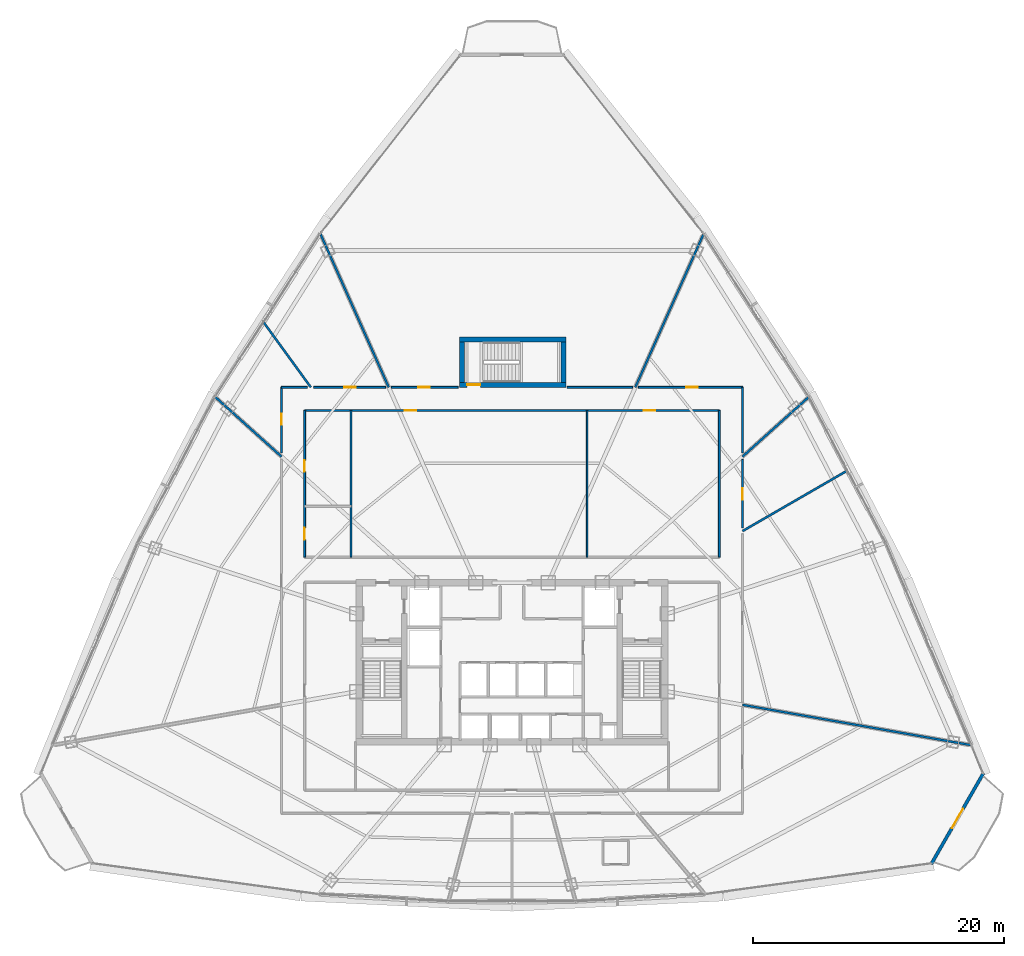
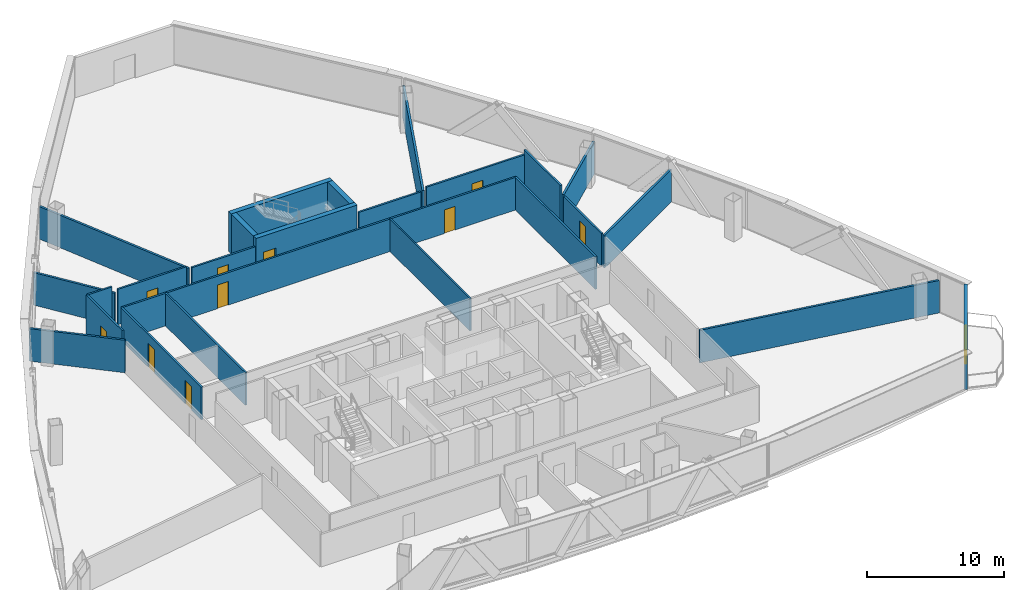
# One storey, part 31 of 36: 25 walls, 11 doors, 11 openings.
"""IFC4 building model written with IfcOpenShell, lengths in metres."""

from ifc_helpers import new_model, si_unit, direction, frame, frame_2d, origin, origin_with_axes, place, context, subcontext, project, spatial, rectangle, extrude, source, transform, mapped, material, layer, layer_set, type_object, element, fill, save


model = new_model("IFC4")

# Units and contexts
model_context = context("Model", 3, precision=1e-05, world=origin(), true_north=direction((0.0, 1.0)))
body_context = subcontext(model_context, "Body", "Model", "MODEL_VIEW")
ifc_project = project(units=[si_unit("LENGTHUNIT", "METRE"), si_unit("AREAUNIT", "SQUARE_METRE"), si_unit("VOLUMEUNIT", "CUBIC_METRE"), si_unit("PLANEANGLEUNIT", "RADIAN"), si_unit("MASSUNIT", "GRAM", prefix="KILO"), si_unit("THERMODYNAMICTEMPERATUREUNIT", "KELVIN"), si_unit("POWERUNIT", "WATT")], contexts=[model_context])

# Site, building, storey
site_placement = place(None, origin())
site = spatial("IfcSite", under=ifc_project, at=site_placement, CompositionType="ELEMENT")
building_placement = place(site_placement, origin())
building = spatial("IfcBuilding", under=site, at=building_placement, Name="Yunzhuo Pagoda Commons", CompositionType="ELEMENT")
storey_placement = place(building_placement, frame((0.0, 0.0, 211.360107421875)))
storey = spatial("IfcBuildingStorey", under=building, at=storey_placement, Name="L53", CompositionType="ELEMENT", Elevation=211.360107421875)

# Wall, opening, door
ifc_material_1 = material(Name="Precast concrete C40", Category="concrete")
ifc_layer_1 = layer(ifc_material_1, 0.260009765625)
ifc_layer_set_1 = layer_set([ifc_layer_1], Name="Precast concrete C40")
wall_type_1 = type_object("IfcWallType", Name="W-BAL1 Corner Balcony Threshold Wall 260", PredefinedType="STANDARD", material=ifc_layer_set_1)
wall_1_placement = place(storey_placement, frame((81.465576171875, 17.74951171875, 0.0), z_axis=(0.0, 0.0, 1.0), x_axis=(0.497934125263, 0.867214856249, 0.0)))
wall_1 = element("IfcWall", 1, at=wall_1_placement, inside=storey, type_object=wall_type_1, Name="L53 corner balcony wall V2", PredefinedType="STANDARD", context=body_context, shape_type="SweptSolid", body=[
    extrude(rectangle(XDim=8.37255859375, YDim=0.260009765625, at=frame_2d((4.186279296875, 0.0))), origin(), (0.0, 0.0, 1.0), 3.539794921875),
])
opening_1_placement = place(wall_1_placement, frame((3.286376953125, 0.0, 0.0)))
opening_1 = element("IfcOpeningElement", 2, at=opening_1_placement, cuts=wall_1, Name="Opening D-BAL1", PredefinedType="OPENING", context=body_context, shape_type="SweptSolid", body=[
    extrude(rectangle(XDim=1.800048828125, YDim=2.14990234375, at=frame_2d((0.89990234375, 1.074951171875))), frame((0.0, 0.14013671875, 0.0), z_axis=(0.0, -1.0, 0.0), x_axis=(1.0, 0.0, 0.0)), (0.0, 0.0, 1.0), 0.280029296875),
])
ifc_material_2 = material(Name="Anodized aluminium frame and tempered glazed leaf", Category="aluminium")
door_type_1 = type_object("IfcDoorType", Name="D-BAL1 Corner Balcony Sliding Glazed Door 1800x2150", OperationType="DOUBLE_DOOR_SLIDING", PredefinedType="DOOR", material=ifc_material_2)
shared_shape_1 = source(origin(), body_context, "Body", "SweptSolid", [
    extrude(rectangle(XDim=1.800048828125, YDim=2.14990234375, at=frame_2d((0.89990234375, 1.074951171875))), frame((0.0, 0.02490234375, 0.0), z_axis=(0.0, -1.0, 0.0), x_axis=(1.0, 0.0, 0.0)), (0.0, 0.0, 1.0), 0.050048828125),
])
door_1_placement = place(opening_1_placement, origin_with_axes())
door_1 = element("IfcDoor", 3, at=door_1_placement, inside=storey, type_object=door_type_1, Name="L53 corner balcony sliding door V2", OperationType="DOUBLE_DOOR_SLIDING", OverallHeight=2.14990234375, OverallWidth=1.800048828125, PredefinedType="DOOR", context=body_context, shape_type="MappedRepresentation", body=[
    mapped(shared_shape_1, transform((0.0, 0.0, 0.0), scale=1.0)),
])
fill(opening_1, door_1)

# Wall, openings, doors
ifc_material_3 = material(Name="Gypsum plasterboard on acoustic stud")
ifc_layer_2 = layer(ifc_material_3, 0.155029296875)
ifc_layer_set_2 = layer_set([ifc_layer_2], Name="Gypsum plasterboard on acoustic stud")
wall_type_2 = type_object("IfcWallType", Name="W-COR2 Mid-Zone Rated Corridor Wall 155", PredefinedType="PARTITIONING", material=ifc_layer_set_2)
wall_2_placement = place(storey_placement, frame((31.449951171875, 53.949951171875, 0.0), z_axis=(0.0, 0.0, 1.0), x_axis=(1.0, 0.0, 0.0)))
wall_2 = element("IfcWall", 4, at=wall_2_placement, inside=storey, type_object=wall_type_2, Name="L53 interior wall IW-L53-MCNN", PredefinedType="PARTITIONING", context=body_context, shape_type="SweptSolid", body=[
    extrude(rectangle(XDim=33.10009765625, YDim=0.155029296875, at=frame_2d((16.550048828125, 0.0))), origin(), (0.0, 0.0, 1.0), 2.889892578125),
])
opening_2_placement = place(wall_2_placement, frame((8.0, 0.0, 0.0)))
opening_2 = element("IfcOpeningElement", 5, at=opening_2_placement, cuts=wall_2, Name="Opening D-04", PredefinedType="OPENING", context=body_context, shape_type="SweptSolid", body=[
    extrude(rectangle(XDim=0.919921875, YDim=2.10009765625, at=frame_2d((0.4599609375, 1.050048828125))), frame((0.0, 0.08740234375, 0.0), z_axis=(0.0, -1.0, 0.0), x_axis=(1.0, 0.0, 0.0)), (0.0, 0.0, 1.0), 0.175048828125),
])
opening_3_placement = place(wall_2_placement, frame((27.050048828125, 0.0, 0.0)))
opening_3 = element("IfcOpeningElement", 6, at=opening_3_placement, cuts=wall_2, Name="Opening D-04", PredefinedType="OPENING", context=body_context, shape_type="SweptSolid", body=[
    extrude(rectangle(XDim=0.919921875, YDim=2.10009765625, at=frame_2d((0.4599609375, 1.050048828125))), frame((0.0, 0.08740234375, 0.0), z_axis=(0.0, -1.0, 0.0), x_axis=(1.0, 0.0, 0.0)), (0.0, 0.0, 1.0), 0.175048828125),
])
ifc_material_4 = material(Name="Powder-coated aluminium and timber acoustic leaf", Category="wood")
door_type_2 = type_object("IfcDoorType", Name="D-04 Bedroom & Study Interior Door 920x2100", OperationType="NOTDEFINED", PredefinedType="DOOR", material=ifc_material_4)
shared_shape_2 = source(origin(), body_context, "Body", "SweptSolid", [
    extrude(rectangle(XDim=0.919921875, YDim=2.10009765625, at=frame_2d((0.4599609375, 1.050048828125))), frame((0.0, 0.02490234375, 0.0), z_axis=(0.0, -1.0, 0.0), x_axis=(1.0, 0.0, 0.0)), (0.0, 0.0, 1.0), 0.050048828125),
])
door_2_placement = place(opening_2_placement, origin_with_axes())
door_2 = element("IfcDoor", 7, at=door_2_placement, inside=storey, type_object=door_type_2, Name="L53 reading commons door", OperationType="SINGLE_SWING_LEFT", OverallHeight=2.10009765625, OverallWidth=0.919921875, PredefinedType="DOOR", context=body_context, shape_type="MappedRepresentation", body=[
    mapped(shared_shape_2, transform((0.0, 0.0, 0.0), scale=1.0)),
])
fill(opening_2, door_2)
door_3_placement = place(opening_3_placement, origin_with_axes())
door_3 = element("IfcDoor", 8, at=door_3_placement, inside=storey, type_object=door_type_2, Name="L53 seminar commons door", OperationType="SINGLE_SWING_RIGHT", OverallHeight=2.10009765625, OverallWidth=0.919921875, PredefinedType="DOOR", context=body_context, shape_type="MappedRepresentation", body=[
    mapped(shared_shape_2, transform((0.0, 0.0, 0.0), scale=1.0)),
])
fill(opening_3, door_3)

wall_3_placement = place(storey_placement, frame((31.449951171875, 42.25, 0.0), z_axis=(0.0, 0.0, 1.0), x_axis=(0.0, 1.0, 0.0)))
wall_3 = element("IfcWall", 9, at=wall_3_placement, inside=storey, type_object=wall_type_2, Name="L53 interior wall IW-L53-MCNW", PredefinedType="PARTITIONING", context=body_context, shape_type="SweptSolid", body=[
    extrude(rectangle(XDim=11.699951171875, YDim=0.155029296875, at=frame_2d((5.85009765625, 0.0))), origin(), (0.0, 0.0, 1.0), 2.889892578125),
])
opening_4_placement = place(wall_3_placement, frame((1.39990234375, 0.0, 0.0)))
opening_4 = element("IfcOpeningElement", 10, at=opening_4_placement, cuts=wall_3, Name="Opening D-11", PredefinedType="OPENING", context=body_context, shape_type="SweptSolid", body=[
    extrude(rectangle(XDim=0.93994140625, YDim=2.10009765625, at=frame_2d((0.469970703125, 1.050048828125))), frame((0.0, 0.08740234375, 0.0), z_axis=(0.0, -1.0, 0.0), x_axis=(1.0, 0.0, 0.0)), (0.0, 0.0, 1.0), 0.175048828125),
])
opening_5_placement = place(wall_3_placement, frame((6.800048828125, 0.0, 0.0)))
opening_5 = element("IfcOpeningElement", 11, at=opening_5_placement, cuts=wall_3, Name="Opening D-04", PredefinedType="OPENING", context=body_context, shape_type="SweptSolid", body=[
    extrude(rectangle(XDim=0.919921875, YDim=2.10009765625, at=frame_2d((0.4599609375, 1.050048828125))), frame((0.0, 0.08740234375, 0.0), z_axis=(0.0, -1.0, 0.0), x_axis=(1.0, 0.0, 0.0)), (0.0, 0.0, 1.0), 0.175048828125),
])
ifc_material_5 = material(Name="Galvanized fire-resisting metal leaf")
door_type_3 = type_object("IfcDoorType", Name="D-11 Accessible Washroom Fire Door 940x2100", OperationType="NOTDEFINED", PredefinedType="DOOR", material=ifc_material_5)
shared_shape_3 = source(origin(), body_context, "Body", "SweptSolid", [
    extrude(rectangle(XDim=0.93994140625, YDim=2.10009765625, at=frame_2d((0.469970703125, 1.050048828125))), frame((0.0, 0.02490234375, 0.0), z_axis=(0.0, -1.0, 0.0), x_axis=(1.0, 0.0, 0.0)), (0.0, 0.0, 1.0), 0.050048828125),
])
door_4_placement = place(opening_4_placement, origin_with_axes())
door_4 = element("IfcDoor", 12, at=door_4_placement, inside=storey, type_object=door_type_3, Name="L53 accessible WC door", OperationType="SINGLE_SWING_LEFT", OverallHeight=2.10009765625, OverallWidth=0.93994140625, PredefinedType="DOOR", context=body_context, shape_type="MappedRepresentation", body=[
    mapped(shared_shape_3, transform((0.0, 0.0, 0.0), scale=1.0)),
])
fill(opening_4, door_4)
door_5_placement = place(opening_5_placement, origin_with_axes())
door_5 = element("IfcDoor", 13, at=door_5_placement, inside=storey, type_object=door_type_2, Name="L53 laundry door", OperationType="SINGLE_SWING_RIGHT", OverallHeight=2.10009765625, OverallWidth=0.919921875, PredefinedType="DOOR", context=body_context, shape_type="MappedRepresentation", body=[
    mapped(shared_shape_2, transform((0.0, 0.0, 0.0), scale=1.0)),
])
fill(opening_5, door_5)

# Walls
for number, where, z_axis, x_axis, name in (
    (14, (64.550048828125, 42.25, 0.0), (0.0, 0.0, 1.0), (0.0, 1.0, 0.0), "L53 interior wall IW-L53-MCNE"),
    (15, (35.14990234375, 42.25, 0.0), (0.0, 0.0, 1.0), (0.0, 1.0, 0.0), "L53 interior wall IW-L53-MCWCE"),
):
    element("IfcWall", number, at=place(storey_placement, frame(where, z_axis=z_axis, x_axis=x_axis)), inside=storey, type_object=wall_type_2, Name=name, PredefinedType="PARTITIONING", context=body_context, shape_type="SweptSolid", body=[
        extrude(rectangle(XDim=11.699951171875, YDim=0.155029296875, at=frame_2d((5.85009765625, 0.0))), origin(), (0.0, 0.0, 1.0), 2.889892578125),
    ])

# Wall, opening, door
wall_4_placement = place(storey_placement, frame((29.60009765625, 50.5634765625, 0.0), z_axis=(0.0, 0.0, 1.0), x_axis=(0.0, 1.0, 0.0)))
wall_4 = element("IfcWall", 16, at=wall_4_placement, inside=storey, type_object=wall_type_2, Name="L53 interior wall IW-L53-CWL03", PredefinedType="PARTITIONING", context=body_context, shape_type="SweptSolid", body=[
    extrude(rectangle(XDim=5.236572265625, YDim=0.155029296875, at=frame_2d((2.6181640625, 0.0))), origin(), (0.0, 0.0, 1.0), 3.539794921875),
])
opening_6_placement = place(wall_4_placement, frame((2.240234375, 0.0, 0.0)))
opening_6 = element("IfcOpeningElement", 17, at=opening_6_placement, cuts=wall_4, Name="Opening D-12", PredefinedType="OPENING", context=body_context, shape_type="SweptSolid", body=[
    extrude(rectangle(XDim=0.89990234375, YDim=2.080078125, at=frame_2d((0.449951171875, 1.0400390625))), frame((0.0, 0.08740234375, 0.0), z_axis=(0.0, -1.0, 0.0), x_axis=(1.0, 0.0, 0.0)), (0.0, 0.0, 1.0), 0.175048828125),
])
door_type_4 = type_object("IfcDoorType", Name="D-12 Quiet Study Interior Door 900x2080", OperationType="NOTDEFINED", PredefinedType="DOOR", material=ifc_material_4)
shared_shape_4 = source(origin(), body_context, "Body", "SweptSolid", [
    extrude(rectangle(XDim=0.89990234375, YDim=2.080078125, at=frame_2d((0.449951171875, 1.0400390625))), frame((0.0, 0.02490234375, 0.0), z_axis=(0.0, -1.0, 0.0), x_axis=(1.0, 0.0, 0.0)), (0.0, 0.0, 1.0), 0.050048828125),
])
door_6_placement = place(opening_6_placement, origin_with_axes())
door_6 = element("IfcDoor", 18, at=door_6_placement, inside=storey, type_object=door_type_4, Name="L53 study lounge 06 door", OperationType="SINGLE_SWING_LEFT", OverallHeight=2.080078125, OverallWidth=0.89990234375, PredefinedType="DOOR", context=body_context, shape_type="MappedRepresentation", body=[
    mapped(shared_shape_4, transform((0.0, 0.0, 0.0), scale=1.0)),
])
fill(opening_6, door_6)

# Wall
wall_5_placement = place(storey_placement, frame((29.60009765625, 55.800048828125, 0.0), z_axis=(0.0, 0.0, 1.0), x_axis=(1.0, 0.0, 0.0)))
element("IfcWall", 19, at=wall_5_placement, inside=storey, type_object=wall_type_2, Name="L53 interior wall IW-L53-CWL04", PredefinedType="PARTITIONING", context=body_context, shape_type="SweptSolid", body=[
    extrude(rectangle(XDim=2.0712890625, YDim=0.155029296875, at=frame_2d((1.03564453125, 0.0))), origin(), (0.0, 0.0, 1.0), 3.539794921875),
])

# Wall, opening, door
wall_6_placement = place(storey_placement, frame((32.1630859375, 55.800048828125, 0.0), z_axis=(0.0, 0.0, 1.0), x_axis=(1.0, 0.0, 0.0)))
wall_6 = element("IfcWall", 20, at=wall_6_placement, inside=storey, type_object=wall_type_2, Name="L53 interior wall IW-L53-CWL05", PredefinedType="PARTITIONING", context=body_context, shape_type="SweptSolid", body=[
    extrude(rectangle(XDim=5.756591796875, YDim=0.155029296875, at=frame_2d((2.87841796875, 0.0))), origin(), (0.0, 0.0, 1.0), 3.139892578125),
])
opening_7_placement = place(wall_6_placement, frame((2.4287109375, 0.0, 0.0)))
opening_7 = element("IfcOpeningElement", 21, at=opening_7_placement, cuts=wall_6, Name="Opening D-04", PredefinedType="OPENING", context=body_context, shape_type="SweptSolid", body=[
    extrude(rectangle(XDim=0.919921875, YDim=2.10009765625, at=frame_2d((0.4599609375, 1.050048828125))), frame((0.0, 0.08740234375, 0.0), z_axis=(0.0, -1.0, 0.0), x_axis=(1.0, 0.0, 0.0)), (0.0, 0.0, 1.0), 0.175048828125),
])
door_7_placement = place(opening_7_placement, origin_with_axes())
door_7 = element("IfcDoor", 22, at=door_7_placement, inside=storey, type_object=door_type_2, Name="L53 seminar room 05 door", OperationType="SINGLE_SWING_RIGHT", OverallHeight=2.10009765625, OverallWidth=0.919921875, PredefinedType="DOOR", context=body_context, shape_type="MappedRepresentation", body=[
    mapped(shared_shape_2, transform((0.0, 0.0, 0.0), scale=1.0)),
])
fill(opening_7, door_7)

wall_7_placement = place(storey_placement, frame((38.380126953125, 55.800048828125, 0.0), z_axis=(0.0, 0.0, 1.0), x_axis=(1.0, 0.0, 0.0)))
wall_7 = element("IfcWall", 23, at=wall_7_placement, inside=storey, type_object=wall_type_2, Name="L53 interior wall IW-L53-CWL06", PredefinedType="PARTITIONING", context=body_context, shape_type="SweptSolid", body=[
    extrude(rectangle(XDim=5.328857421875, YDim=0.155029296875, at=frame_2d((2.66455078125, 0.0))), origin(), (0.0, 0.0, 1.0), 2.889892578125),
])
opening_8_placement = place(wall_7_placement, frame((2.1298828125, 0.0, 0.0)))
opening_8 = element("IfcOpeningElement", 24, at=opening_8_placement, cuts=wall_7, Name="Opening D-04", PredefinedType="OPENING", context=body_context, shape_type="SweptSolid", body=[
    extrude(rectangle(XDim=0.919921875, YDim=2.10009765625, at=frame_2d((0.4599609375, 1.050048828125))), frame((0.0, 0.08740234375, 0.0), z_axis=(0.0, -1.0, 0.0), x_axis=(1.0, 0.0, 0.0)), (0.0, 0.0, 1.0), 0.175048828125),
])
door_8_placement = place(opening_8_placement, origin_with_axes())
door_8 = element("IfcDoor", 25, at=door_8_placement, inside=storey, type_object=door_type_2, Name="L53 seminar room 04 door", OperationType="SINGLE_SWING_LEFT", OverallHeight=2.10009765625, OverallWidth=0.919921875, PredefinedType="DOOR", context=body_context, shape_type="MappedRepresentation", body=[
    mapped(shared_shape_2, transform((0.0, 0.0, 0.0), scale=1.0)),
])
fill(opening_8, door_8)

# Wall
wall_8_placement = place(storey_placement, frame((52.39111328125, 55.800048828125, 0.0), z_axis=(0.0, 0.0, 1.0), x_axis=(1.0, 0.0, 0.0)))
element("IfcWall", 26, at=wall_8_placement, inside=storey, type_object=wall_type_2, Name="L53 interior wall IW-L53-CWL07", PredefinedType="PARTITIONING", context=body_context, shape_type="SweptSolid", body=[
    extrude(rectangle(XDim=5.228759765625, YDim=0.155029296875, at=frame_2d((2.6142578125, 0.0))), origin(), (0.0, 0.0, 1.0), 2.889892578125),
])

# Wall, opening, door
wall_9_placement = place(storey_placement, frame((58.080322265625, 55.800048828125, 0.0), z_axis=(0.0, 0.0, 1.0), x_axis=(1.0, 0.0, 0.0)))
wall_9 = element("IfcWall", 27, at=wall_9_placement, inside=storey, type_object=wall_type_2, Name="L53 interior wall IW-L53-CWL08", PredefinedType="PARTITIONING", context=body_context, shape_type="SweptSolid", body=[
    extrude(rectangle(XDim=8.319580078125, YDim=0.155029296875, at=frame_2d((4.15966796875, 0.0))), origin(), (0.0, 0.0, 1.0), 3.139892578125),
])
opening_9_placement = place(wall_9_placement, frame((3.809326171875, 0.0, 0.0)))
opening_9 = element("IfcOpeningElement", 28, at=opening_9_placement, cuts=wall_9, Name="Opening D-04", PredefinedType="OPENING", context=body_context, shape_type="SweptSolid", body=[
    extrude(rectangle(XDim=0.919921875, YDim=2.10009765625, at=frame_2d((0.4599609375, 1.050048828125))), frame((0.0, 0.08740234375, 0.0), z_axis=(0.0, -1.0, 0.0), x_axis=(1.0, 0.0, 0.0)), (0.0, 0.0, 1.0), 0.175048828125),
])
door_9_placement = place(opening_9_placement, origin_with_axes())
door_9 = element("IfcDoor", 29, at=door_9_placement, inside=storey, type_object=door_type_2, Name="L53 seminar room 03 door", OperationType="SINGLE_SWING_RIGHT", OverallHeight=2.10009765625, OverallWidth=0.919921875, PredefinedType="DOOR", context=body_context, shape_type="MappedRepresentation", body=[
    mapped(shared_shape_2, transform((0.0, 0.0, 0.0), scale=1.0)),
])
fill(opening_9, door_9)

# Wall
wall_10_placement = place(storey_placement, frame((66.39990234375, 55.800048828125, 0.0), z_axis=(0.0, 0.0, 1.0), x_axis=(0.0, -1.0, 0.0)))
element("IfcWall", 30, at=wall_10_placement, inside=storey, type_object=wall_type_2, Name="L53 interior wall IW-L53-CWL09", PredefinedType="PARTITIONING", context=body_context, shape_type="SweptSolid", body=[
    extrude(rectangle(XDim=5.236572265625, YDim=0.155029296875, at=frame_2d((2.6181640625, 0.0))), origin(), (0.0, 0.0, 1.0), 3.539794921875),
])

# Wall, opening, door
wall_11_placement = place(storey_placement, frame((66.39990234375, 50.047607421875, 0.0), z_axis=(0.0, 0.0, 1.0), x_axis=(0.0, -1.0, 0.0)))
wall_11 = element("IfcWall", 31, at=wall_11_placement, inside=storey, type_object=wall_type_2, Name="L53 interior wall IW-L53-CWL10", PredefinedType="PARTITIONING", context=body_context, shape_type="SweptSolid", body=[
    extrude(rectangle(XDim=5.470458984375, YDim=0.155029296875, at=frame_2d((2.7353515625, 0.0))), origin(), (0.0, 0.0, 1.0), 2.889892578125),
])
opening_10_placement = place(wall_11_placement, frame((2.29248046875, 0.0, 0.0)))
opening_10 = element("IfcOpeningElement", 32, at=opening_10_placement, cuts=wall_11, Name="Opening D-04", PredefinedType="OPENING", context=body_context, shape_type="SweptSolid", body=[
    extrude(rectangle(XDim=0.919921875, YDim=2.10009765625, at=frame_2d((0.4599609375, 1.050048828125))), frame((0.0, 0.08740234375, 0.0), z_axis=(0.0, -1.0, 0.0), x_axis=(1.0, 0.0, 0.0)), (0.0, 0.0, 1.0), 0.175048828125),
])
door_10_placement = place(opening_10_placement, origin_with_axes())
door_10 = element("IfcDoor", 33, at=door_10_placement, inside=storey, type_object=door_type_2, Name="L53 seminar room 02 door", OperationType="SINGLE_SWING_LEFT", OverallHeight=2.10009765625, OverallWidth=0.919921875, PredefinedType="DOOR", context=body_context, shape_type="MappedRepresentation", body=[
    mapped(shared_shape_2, transform((0.0, 0.0, 0.0), scale=1.0)),
])
fill(opening_10, door_10)

# Walls
ifc_layer_3 = layer(ifc_material_3, 0.1201171875)
ifc_layer_set_3 = layer_set([ifc_layer_3], Name="Gypsum plasterboard on acoustic stud")
wall_type_3 = type_object("IfcWallType", Name="W-PRT1 Suite & Bathroom Partition 120", PredefinedType="PARTITIONING", material=ifc_layer_set_3)
wall_12_placement = place(storey_placement, frame((54.0, 42.25, 0.0), z_axis=(0.0, 0.0, 1.0), x_axis=(0.0, 1.0, 0.0)))
element("IfcWall", 34, at=wall_12_placement, inside=storey, type_object=wall_type_3, Name="L53 interior wall IW-L53-MCDIV", PredefinedType="PARTITIONING", context=body_context, shape_type="SweptSolid", body=[
    extrude(rectangle(XDim=11.699951171875, YDim=0.1201171875, at=frame_2d((5.85009765625, 0.0))), origin(), (0.0, 0.0, 1.0), 2.889892578125),
])
ifc_layer_4 = layer(ifc_material_3, 0.175048828125)
ifc_layer_set_4 = layer_set([ifc_layer_4], Name="Gypsum plasterboard on acoustic stud")
wall_type_4 = type_object("IfcWallType", Name="W-PRT3 Mid-Zone Demising Wall 175", PredefinedType="PARTITIONING", material=ifc_layer_set_4)
wall_13_placement = place(storey_placement, frame((66.39990234375, 44.3232421875, 0.0), z_axis=(0.0, 0.0, 1.0), x_axis=(0.866029151995, 0.499993507853, 0.0)))
element("IfcWall", 35, at=wall_13_placement, inside=storey, type_object=wall_type_4, Name="L53 interior wall IW-L53-RAD01", PredefinedType="PARTITIONING", context=body_context, shape_type="SweptSolid", body=[
    extrude(rectangle(XDim=9.694091796875, YDim=0.175048828125, at=frame_2d((4.84716796875, 0.0))), origin(), (0.0, 0.0, 1.0), 2.889892578125),
])
wall_14_placement = place(storey_placement, frame((66.39990234375, 50.267333984375, 0.0), z_axis=(0.0, 0.0, 1.0), x_axis=(0.743146095384, 0.669129195982, 0.0)))
element("IfcWall", 36, at=wall_14_placement, inside=storey, type_object=wall_type_4, Name="L53 interior wall IW-L53-RAD02", PredefinedType="PARTITIONING", context=body_context, shape_type="SweptSolid", body=[
    extrude(rectangle(XDim=7.134521484375, YDim=0.175048828125, at=frame_2d((3.5673828125, 0.0))), origin(), (0.0, 0.0, 1.0), 2.889892578125),
])
for number, where, z_axis, x_axis, name in (
    (37, (57.839599609375, 55.800048828125, 0.0), (0.0, 0.0, 1.0), (0.406732574237, 0.913547269196, 0.0), "L53 interior wall IW-L53-RAD03"),
    (38, (38.160400390625, 55.800048828125, 0.0), (0.0, 0.0, 1.0), (-0.406732574237, 0.913547269196, 0.0), "L53 interior wall IW-L53-RAD04"),
):
    element("IfcWall", number, at=place(storey_placement, frame(where, z_axis=z_axis, x_axis=x_axis)), inside=storey, type_object=wall_type_4, Name=name, PredefinedType="PARTITIONING", context=body_context, shape_type="SweptSolid", body=[
        extrude(rectangle(XDim=13.419189453125, YDim=0.175048828125, at=frame_2d((6.70947265625, 0.0))), origin(), (0.0, 0.0, 1.0), 2.889892578125),
    ])
wall_15_placement = place(storey_placement, frame((31.943359375, 55.800048828125, 0.0), z_axis=(0.0, 0.0, 1.0), x_axis=(-0.587786531485, 0.809016064986, 0.0)))
element("IfcWall", 39, at=wall_15_placement, inside=storey, type_object=wall_type_4, Name="L53 interior wall IW-L53-RAD05", PredefinedType="PARTITIONING", context=body_context, shape_type="SweptSolid", body=[
    extrude(rectangle(XDim=6.44580078125, YDim=0.175048828125, at=frame_2d((3.222900390625, 0.0))), origin(), (0.0, 0.0, 1.0), 2.889892578125),
])
wall_16_placement = place(storey_placement, frame((29.60009765625, 50.267333984375, 0.0), z_axis=(0.0, 0.0, 1.0), x_axis=(-0.743146095384, 0.669129195982, 0.0)))
element("IfcWall", 40, at=wall_16_placement, inside=storey, type_object=wall_type_4, Name="L53 interior wall IW-L53-RAD06", PredefinedType="PARTITIONING", context=body_context, shape_type="SweptSolid", body=[
    extrude(rectangle(XDim=7.134521484375, YDim=0.175048828125, at=frame_2d((3.5673828125, 0.0))), origin(), (0.0, 0.0, 1.0), 2.889892578125),
])
wall_17_placement = place(storey_placement, frame((66.39990234375, 30.45556640625, 0.0), z_axis=(0.0, 0.0, 1.0), x_axis=(0.984808051039, -0.173646487465, 0.0)))
element("IfcWall", 41, at=wall_17_placement, inside=storey, type_object=wall_type_4, Name="L53 interior wall IW-L53-RAD12", PredefinedType="PARTITIONING", context=body_context, shape_type="SweptSolid", body=[
    extrude(rectangle(XDim=18.557373046875, YDim=0.175048828125, at=frame_2d((9.27880859375, 0.0))), origin(), (0.0, 0.0, 1.0), 2.889892578125),
])
ifc_material_6 = material(Name="Concrete C60", Category="concrete")
ifc_layer_5 = layer(ifc_material_6, 0.39990234375)
ifc_layer_set_5 = layer_set([ifc_layer_5], Name="Concrete C60")
wall_type_5 = type_object("IfcWallType", Name="W-S01 Internal Core Shear Web 400", PredefinedType="SHEAR", material=ifc_layer_set_5)
wall_18_placement = place(storey_placement, frame((43.800048828125, 59.60009765625, 0.0), z_axis=(0.0, 0.0, 1.0), x_axis=(1.0, 0.0, 0.0)))
element("IfcWall", 42, at=wall_18_placement, inside=storey, type_object=wall_type_5, Name="L53 ST3 structural stair wall N", PredefinedType="SHEAR", context=body_context, shape_type="SweptSolid", body=[
    extrude(rectangle(XDim=8.5, YDim=0.39990234375, at=frame_2d((4.25, 0.0))), origin(), (0.0, 0.0, 1.0), 3.539794921875),
])

# Wall, opening, door
wall_19_placement = place(storey_placement, frame((43.800048828125, 56.0, 0.0), z_axis=(0.0, 0.0, 1.0), x_axis=(1.0, 0.0, 0.0)))
wall_19 = element("IfcWall", 43, at=wall_19_placement, inside=storey, type_object=wall_type_5, Name="L53 ST3 structural stair wall S", PredefinedType="SHEAR", context=body_context, shape_type="SweptSolid", body=[
    extrude(rectangle(XDim=8.5, YDim=0.39990234375, at=frame_2d((4.25, 0.0))), origin(), (0.0, 0.0, 1.0), 3.539794921875),
])
opening_11_placement = place(wall_19_placement, frame((0.6201171875, 0.0, 0.0)))
opening_11 = element("IfcOpeningElement", 44, at=opening_11_placement, cuts=wall_19, Name="Opening D-01", PredefinedType="OPENING", context=body_context, shape_type="SweptSolid", body=[
    extrude(rectangle(XDim=1.050048828125, YDim=2.10009765625, at=frame_2d((0.52490234375, 1.050048828125))), frame((0.0, 0.2099609375, 0.0), z_axis=(0.0, -1.0, 0.0), x_axis=(1.0, 0.0, 0.0)), (0.0, 0.0, 1.0), 0.419921875),
])
door_type_5 = type_object("IfcDoorType", Name="D-01 Smokeproof Stair Fire Door 1050x2100", OperationType="NOTDEFINED", PredefinedType="DOOR", material=ifc_material_5)
shared_shape_5 = source(origin(), body_context, "Body", "SweptSolid", [
    extrude(rectangle(XDim=1.050048828125, YDim=2.10009765625, at=frame_2d((0.52490234375, 1.050048828125))), frame((0.0, 0.02490234375, 0.0), z_axis=(0.0, -1.0, 0.0), x_axis=(1.0, 0.0, 0.0)), (0.0, 0.0, 1.0), 0.050048828125),
])
door_11_placement = place(opening_11_placement, frame((1.050048828125, 0.0, 0.0), z_axis=(0.0, 0.0, 1.0), x_axis=(-1.0, 0.0, 0.0)))
door_11 = element("IfcDoor", 45, at=door_11_placement, inside=storey, type_object=door_type_5, Name="L53 Stair ST3 fire door", OperationType="SINGLE_SWING_LEFT", OverallHeight=2.10009765625, OverallWidth=1.050048828125, PredefinedType="DOOR", context=body_context, shape_type="MappedRepresentation", body=[
    mapped(shared_shape_5, transform((0.0, 0.0, 0.0), scale=1.0)),
])
fill(opening_11, door_11)

# Walls
for number, where, z_axis, x_axis, name in (
    (46, (44.0, 56.199951171875, 0.0), (0.0, 0.0, 1.0), (0.0, 1.0, 0.0), "L53 ST3 structural stair wall W"),
    (47, (52.10009765625, 56.199951171875, 0.0), (0.0, 0.0, 1.0), (0.0, 1.0, 0.0), "L53 ST3 structural stair wall E"),
):
    element("IfcWall", number, at=place(storey_placement, frame(where, z_axis=z_axis, x_axis=x_axis)), inside=storey, type_object=wall_type_5, Name=name, PredefinedType="SHEAR", context=body_context, shape_type="SweptSolid", body=[
        extrude(rectangle(XDim=3.199951171875, YDim=0.39990234375, at=frame_2d((1.60009765625, 0.0))), origin(), (0.0, 0.0, 1.0), 3.539794921875),
    ])

save(model, "model.ifc")
